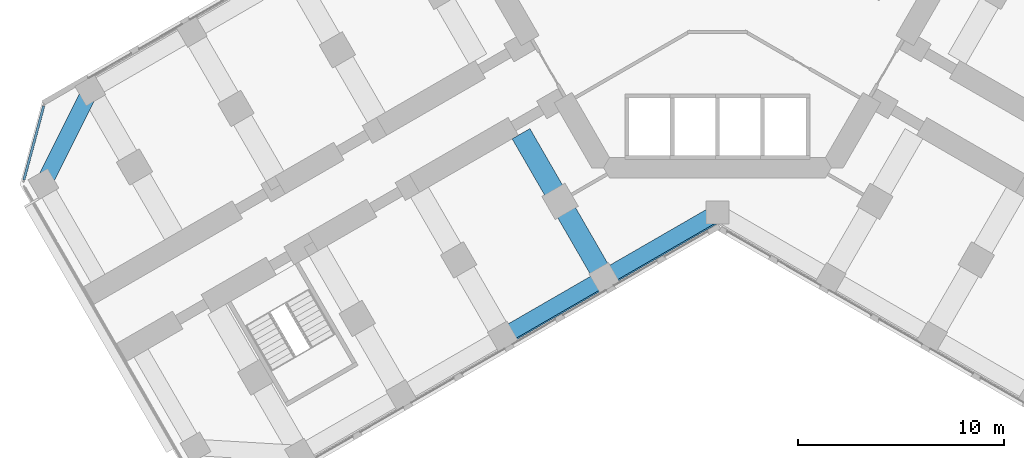
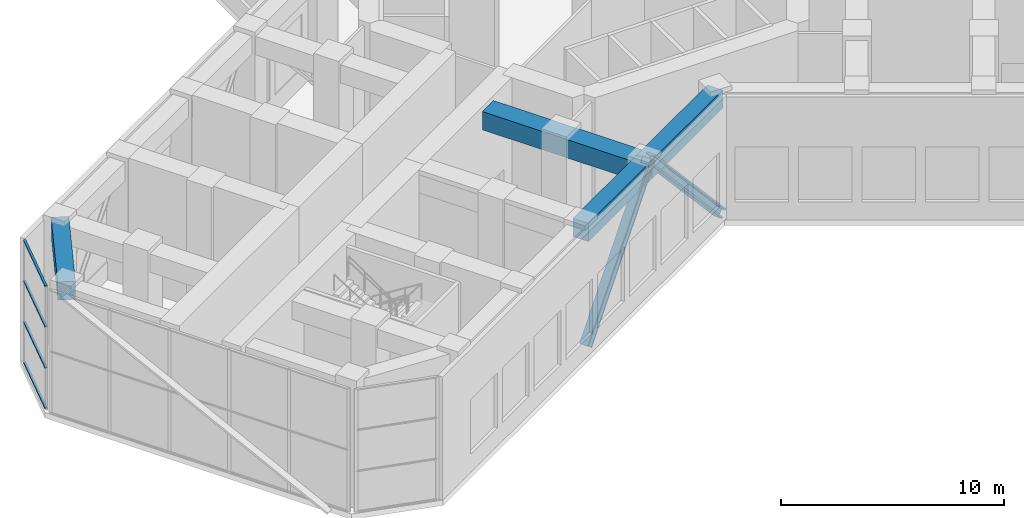
# One storey, part 3 of 17: 6 members, 4 beams, 1 element without a shape of its own.
"""IFC4 building model written with IfcOpenShell, lengths in metres."""

from ifc_helpers import new_model, si_unit, direction, frame, origin, origin_2d, place, context, subcontext, project, spatial, rectangle, i_section, extrude, material, material_profile, profile_set, type_object, element, aggregate, save


model = new_model("IFC4")

# Units and contexts
model_context = context("Model", 3, precision=1e-05, world=origin(), true_north=direction((0.0, 1.0)))
body_context = subcontext(model_context, "Body", "Model", "MODEL_VIEW")
ifc_project = project(units=[si_unit("LENGTHUNIT", "METRE"), si_unit("AREAUNIT", "SQUARE_METRE"), si_unit("VOLUMEUNIT", "CUBIC_METRE"), si_unit("PLANEANGLEUNIT", "RADIAN"), si_unit("MASSUNIT", "GRAM", prefix="KILO")], contexts=[model_context])

# Site, building, storey
site_placement = place(None, origin())
site = spatial("IfcSite", under=ifc_project, at=site_placement, CompositionType="ELEMENT")
building_placement = place(site_placement, origin())
building = spatial("IfcBuilding", under=site, at=building_placement, Name="Kosmar Iwan School Tower", CompositionType="ELEMENT")
storey_placement = place(building_placement, frame((0.0, 0.0, 32.39990234375)))
storey = spatial("IfcBuildingStorey", under=building, at=storey_placement, Name="L07", CompositionType="ELEMENT", Elevation=32.39990234375)

# Members
ifc_material_1 = material(Name="Steel S355", Category="steel")
ifc_material_profile_1 = material_profile(ifc_material_1, i_section(OverallWidth=0.431884765625, OverallDepth=0.498046875, WebThickness=0.0556640625, FlangeThickness=0.0888671875, FilletRadius=0.014892578125, at=origin_2d()), Name="HD 400x744")
ifc_profile_set_1 = profile_set([ifc_material_profile_1], Name="Steel S355")
member_type_1 = type_object("IfcMemberType", Name="Belt truss diagonal HD 400x744", PredefinedType="BRACE", material=ifc_profile_set_1)
member_1_placement = place(storey_placement, frame((0.126953125, -11.997802734375, 0.0), z_axis=(-0.590909444273, -0.341179234178, 0.731042241485), x_axis=(0.500019243575, -0.866014293216, 0.0)))
element("IfcMember", 1, at=member_1_placement, inside=storey, type_object=member_type_1, Name="Belt truss diagonal BL1", PredefinedType="BRACE", context=body_context, shape_type="SweptSolid", body=[
    extrude(i_section(OverallWidth=0.431884765625, OverallDepth=0.498046875, WebThickness=0.0556640625, FlangeThickness=0.0888671875, FilletRadius=0.014892578125, at=origin_2d()), origin(), (0.0, 0.0, 1.0), 9.322509765625),
])
member_2_placement = place(storey_placement, frame((-5.3818359375, -15.178466796875, 6.815185546875), z_axis=(-0.555602470658, -0.320765005193, -0.767082594016), x_axis=(0.49998570155, -0.866033658841, 0.0)))
element("IfcMember", 2, at=member_2_placement, inside=storey, type_object=member_type_1, Name="Belt truss diagonal BL2", PredefinedType="BRACE", context=body_context, shape_type="SweptSolid", body=[
    extrude(i_section(OverallWidth=0.431884765625, OverallDepth=0.498046875, WebThickness=0.0556640625, FlangeThickness=0.0888671875, FilletRadius=0.014892578125, at=origin_2d()), origin(), (0.0, 0.0, 1.0), 8.884521484375),
])

# Beams
ifc_material_2 = material(Name="Concrete C50/60", Category="concrete")
ifc_material_profile_2 = material_profile(ifc_material_2, rectangle(XDim=0.800048828125, YDim=1.0, at=origin_2d()), Name="RC 800x1000 + HD 400x634")
ifc_profile_set_2 = profile_set([ifc_material_profile_2], Name="Concrete C50/60")
beam_type_1 = type_object("IfcBeamType", Name="Composite edge beam 800x1000 HD 400x634", PredefinedType="BEAM", material=ifc_profile_set_2)
beam_1_placement = place(storey_placement, frame((0.0, -11.77783203125, 6.25), z_axis=(-0.866014293216, -0.500019243575, 0.0), x_axis=(0.500019243575, -0.866014293216, 0.0)))
element("IfcBeam", 3, at=beam_1_placement, inside=storey, type_object=beam_type_1, Name="Edge beam BL1", PredefinedType="BEAM", context=body_context, shape_type="SweptSolid", body=[
    extrude(rectangle(XDim=0.800048828125, YDim=1.0, at=origin_2d()), origin(), (0.0, 0.0, 1.0), 6.361083984375),
])
beam_2_placement = place(storey_placement, frame((-5.5087890625, -14.95849609375, 6.25), z_axis=(-0.866033658841, -0.49998570155, 0.0), x_axis=(0.49998570155, -0.866033658841, 0.0)))
element("IfcBeam", 4, at=beam_2_placement, inside=storey, type_object=beam_type_1, Name="Edge beam BL2", PredefinedType="BEAM", context=body_context, shape_type="SweptSolid", body=[
    extrude(rectangle(XDim=0.800048828125, YDim=1.0, at=origin_2d()), origin(), (0.0, 0.0, 1.0), 5.699951171875),
])
ifc_material_3 = material(Name="Concrete C50/60", Category="concrete")
ifc_material_profile_3 = material_profile(ifc_material_3, rectangle(XDim=1.0, YDim=1.0, at=origin_2d()), Name="RC 1000x1000 + HD 400x347")
ifc_profile_set_3 = profile_set([ifc_material_profile_3], Name="Concrete C50/60")
beam_type_2 = type_object("IfcBeamType", Name="Composite transverse beam 1000x1000 HD 400x347", PredefinedType="BEAM", material=ifc_profile_set_3)
beam_3_placement = place(storey_placement, frame((-5.5087890625, -14.95849609375, 6.25), z_axis=(-0.499999880539, 0.866025472755, 0.0), x_axis=(-0.866025472755, -0.499999880539, 0.0)))
element("IfcBeam", 5, at=beam_3_placement, inside=storey, type_object=beam_type_2, Name="Transverse beam BL1", PredefinedType="BEAM", context=body_context, shape_type="SweptSolid", body=[
    extrude(rectangle(XDim=1.0, YDim=1.0, at=origin_2d()), origin(), (0.0, 0.0, 1.0), 8.10009765625),
])
ifc_material_4 = material(Name="Concrete C50/60", Category="concrete")
ifc_material_profile_4 = material_profile(ifc_material_4, rectangle(XDim=0.800048828125, YDim=1.0, at=origin_2d()), Name="RC 800x1000")
ifc_profile_set_4 = profile_set([ifc_material_profile_4], Name="Concrete C50/60")
beam_type_3 = type_object("IfcBeamType", Name="RC tip beam 800x1000", PredefinedType="BEAM", material=ifc_profile_set_4)
beam_4_placement = place(storey_placement, frame((-30.517822265625, -5.841552734375, 6.25), z_axis=(-0.44809604203, -0.893985423325, 0.0), x_axis=(0.893985423325, -0.44809604203, 0.0)))
element("IfcBeam", 6, at=beam_4_placement, inside=storey, type_object=beam_type_3, Name="Tip beam BR", PredefinedType="BEAM", context=body_context, shape_type="SweptSolid", body=[
    extrude(rectangle(XDim=0.800048828125, YDim=1.0, at=origin_2d()), origin(), (0.0, 0.0, 1.0), 5.08935546875),
])

# Curtain wall, members
ifc_material_5 = material(Name="Dark glass in black aluminium frame", Category="aluminium")
curtain_wall_type = type_object("IfcCurtainWallType", Name="Chamfer curtain wall dark glass", PredefinedType="USERDEFINED", material=ifc_material_5)
curtain_wall_placement = place(storey_placement, origin())
curtain_wall = element("IfcCurtainWall", 7, at=curtain_wall_placement, inside=storey, type_object=curtain_wall_type, Name="Curtain wall L07-F12", ObjectType="FACETED CURTAIN WALL", PredefinedType="USERDEFINED")
ifc_material_6 = material(Name="Black anodised aluminium", Category="aluminium")
ifc_material_profile_5 = material_profile(ifc_material_6, rectangle(XDim=0.1201171875, YDim=0.06005859375, at=origin_2d()), Name="TRANSOM 60x120")
ifc_profile_set_5 = profile_set([ifc_material_profile_5], Name="Black anodised aluminium")
member_type_2 = type_object("IfcMemberType", Name="Transom 60x120", PredefinedType="USERDEFINED", material=ifc_profile_set_5)
member_3_placement = place(storey_placement, frame((-32.788330078125, -6.602294921875, 0.030029296875), z_axis=(-0.258843273983, -0.965919333854, 0.0), x_axis=(0.965919333854, -0.258843273983, 0.0)))
member_3 = element("IfcMember", 8, at=member_3_placement, type_object=member_type_2, Name="CW2 transom 1.1", ObjectType="TRANSOM", PredefinedType="USERDEFINED", context=body_context, shape_type="SweptSolid", body=[
    extrude(rectangle(XDim=0.1201171875, YDim=0.06005859375, at=origin_2d()), origin(), (0.0, 0.0, 1.0), 3.718994140625),
])
member_4_placement = place(storey_placement, frame((-32.788330078125, -6.602294921875, 2.25), z_axis=(-0.258843273983, -0.965919333854, 0.0), x_axis=(0.965919333854, -0.258843273983, 0.0)))
member_4 = element("IfcMember", 9, at=member_4_placement, type_object=member_type_2, Name="CW2 transom 1.2", ObjectType="TRANSOM", PredefinedType="USERDEFINED", context=body_context, shape_type="SweptSolid", body=[
    extrude(rectangle(XDim=0.1201171875, YDim=0.06005859375, at=origin_2d()), origin(), (0.0, 0.0, 1.0), 3.718994140625),
])
member_5_placement = place(storey_placement, frame((-32.788330078125, -6.602294921875, 4.5), z_axis=(-0.258843273983, -0.965919333854, 0.0), x_axis=(0.965919333854, -0.258843273983, 0.0)))
member_5 = element("IfcMember", 10, at=member_5_placement, type_object=member_type_2, Name="CW2 transom 1.3", ObjectType="TRANSOM", PredefinedType="USERDEFINED", context=body_context, shape_type="SweptSolid", body=[
    extrude(rectangle(XDim=0.1201171875, YDim=0.06005859375, at=origin_2d()), origin(), (0.0, 0.0, 1.0), 3.718994140625),
])
member_6_placement = place(storey_placement, frame((-32.788330078125, -6.602294921875, 6.72021484375), z_axis=(-0.258843273983, -0.965919333854, 0.0), x_axis=(0.965919333854, -0.258843273983, 0.0)))
member_6 = element("IfcMember", 11, at=member_6_placement, type_object=member_type_2, Name="CW2 transom 1.4", ObjectType="TRANSOM", PredefinedType="USERDEFINED", context=body_context, shape_type="SweptSolid", body=[
    extrude(rectangle(XDim=0.1201171875, YDim=0.06005859375, at=origin_2d()), origin(), (0.0, 0.0, 1.0), 3.718994140625),
])
aggregate(curtain_wall, [member_3, member_4, member_5, member_6])

save(model, "model.ifc")
